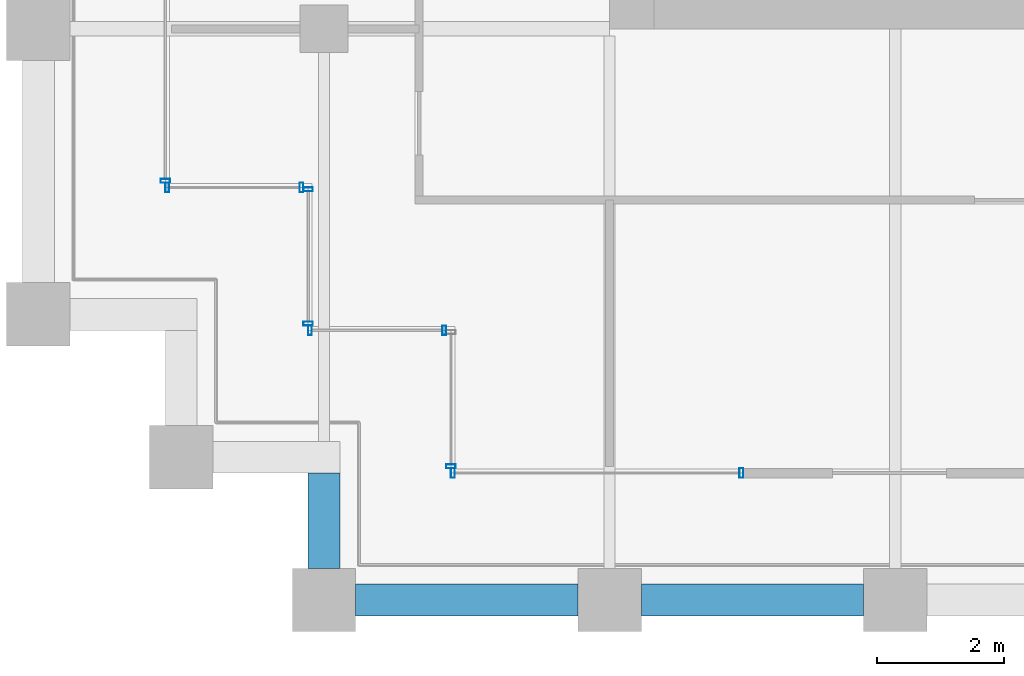
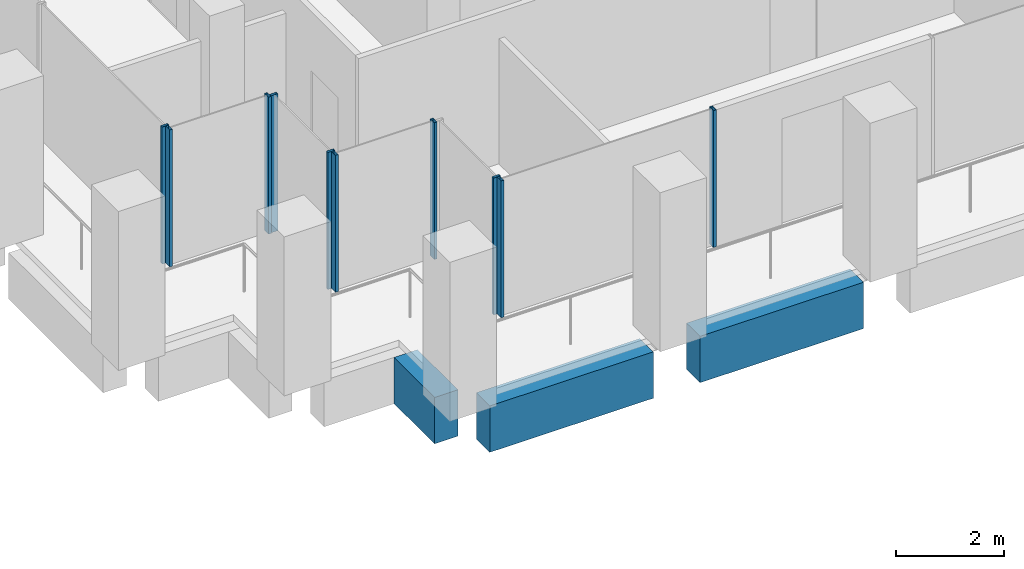
# One storey, part 28 of 46: 10 members, 3 beams, 6 elements without a shape of their own.
"""IFC4 building model written with IfcOpenShell, lengths in metres."""

import ifcopenshell
import ifcopenshell.guid

model = None  # the IFC model being written
_history = None  # IfcOwnerHistory: only IFC2X3 demands one
_inside = {}  # id of a spatial element -> (the spatial element, [elements in it])
_under = {}  # id of a project, library or spatial element -> (it, [spatial elements below it])
_declared = {}  # id of a project -> (the project, [libraries it declares])
_typed = {}  # id of a type object -> (the type object, [elements of that type])
_made_of = {}  # id of a material, layer set ... -> (it, [elements and type objects made of it])


def new_model(schema):
    """Start an empty IFC model of exactly this schema.

    Asked for "IFC4X3", IfcOpenShell would pick the latest addendum, in which some entities
    have other attributes; the version numbers below select the first issue.
    IFC2X3 requires an IfcOwnerHistory on every rooted entity: one is made here for all.
    """
    global model, _history
    if schema == "IFC4X3":
        model = ifcopenshell.file(schema_version=(4, 3, 0, 0))
    else:
        model = ifcopenshell.file(schema=schema)
    _inside.clear()
    _under.clear()
    _declared.clear()
    _typed.clear()
    _made_of.clear()
    _history = None
    if model.schema == "IFC2X3":
        org = make("IfcOrganization", Name="unknown")
        user = make(
            "IfcPersonAndOrganization",
            ThePerson=make("IfcPerson", FamilyName="unknown"),
            TheOrganization=org,
        )
        app = make(
            "IfcApplication",
            ApplicationDeveloper=org,
            Version="unknown",
            ApplicationFullName="unknown",
            ApplicationIdentifier="unknown",
        )
        _history = make(
            "IfcOwnerHistory",
            OwningUser=user,
            OwningApplication=app,
            ChangeAction="ADDED",
            CreationDate=0,
        )
    return model


def make(cls, **values):
    """One entity of the class cls with the attributes given. An attribute that is None is left unset."""
    return model.create_entity(
        cls, **{name: value for name, value in values.items() if value is not None}
    )


def rooted(cls, **values):
    """An entity with a GlobalId (a new one), such as an element, a storey or a relation."""
    return make(cls, GlobalId=ifcopenshell.guid.new(), OwnerHistory=_history, **values)


def si_unit(unit_type, name, prefix=None):
    """IfcSIUnit, for example si_unit("LENGTHUNIT", "METRE", prefix="MILLI")."""
    return make("IfcSIUnit", UnitType=unit_type, Prefix=prefix, Name=name)


def assignment(units):
    """IfcUnitAssignment: the units of a project."""
    return None if units is None else make("IfcUnitAssignment", Units=units)


def point(xyz):
    """IfcCartesianPoint."""
    return None if xyz is None else make("IfcCartesianPoint", Coordinates=xyz)


def direction(xyz):
    """IfcDirection."""
    return None if xyz is None else make("IfcDirection", DirectionRatios=xyz)


def frame(location, z_axis=None, x_axis=None):
    """IfcAxis2Placement3D, a coordinate frame: its origin and axes. An axis left out is left unset."""
    return make(
        "IfcAxis2Placement3D",
        Location=point(location),
        Axis=direction(z_axis),
        RefDirection=direction(x_axis),
    )


def frame_2d(location, x_axis=None):
    """IfcAxis2Placement2D, a coordinate frame in the plane: its origin and x axis."""
    return make(
        "IfcAxis2Placement2D", Location=point(location), RefDirection=direction(x_axis)
    )


def origin():
    """The frame at (0, 0, 0) with its axes left unset."""
    return frame((0.0, 0.0, 0.0))


def origin_2d():
    """The frame at (0, 0) in the plane with its x axis left unset."""
    return frame_2d((0.0, 0.0))


def place(relative_to, where):
    """IfcLocalPlacement: puts the frame where relative to a parent placement (None: the world)."""
    return make(
        "IfcLocalPlacement", PlacementRelTo=relative_to, RelativePlacement=where
    )


def context(
    kind, dimensions, precision=None, world=None, true_north=None, identifier=None
):
    """IfcGeometricRepresentationContext, for example the 3D "Model" context."""
    return make(
        "IfcGeometricRepresentationContext",
        ContextIdentifier=identifier,
        ContextType=kind,
        CoordinateSpaceDimension=dimensions,
        Precision=precision,
        WorldCoordinateSystem=world,
        TrueNorth=true_north,
    )


def subcontext(parent, identifier, kind, view, scale=None):
    """IfcGeometricRepresentationSubContext, for example "Body" below "Model"."""
    return make(
        "IfcGeometricRepresentationSubContext",
        ContextIdentifier=identifier,
        ContextType=kind,
        ParentContext=parent,
        TargetScale=scale,
        TargetView=view,
    )


def project(units=None, contexts=None):
    """IfcProject with its units and contexts."""
    return rooted(
        "IfcProject",
        Name="project",
        RepresentationContexts=contexts,
        UnitsInContext=assignment(units),
    )


def spatial(cls, under=None, at=None, **own):
    """A site, building, storey or space (cls), placed at a placement, below another one or the project."""
    s = rooted(cls, ObjectPlacement=at, **own)
    if under is not None:
        _under.setdefault(under.id(), (under, []))[1].append(s)
    return s


def profile(cls, at=None, kind="AREA", **sizes):
    """A parametric profile (cls). Its sizes go by their IFC names, for example OverallWidth=200.0."""
    return make(cls, ProfileType=kind, Position=at, **sizes)


def rectangle(**sizes):
    """IfcRectangleProfileDef."""
    return profile("IfcRectangleProfileDef", **sizes)


def hollow_rectangle(**sizes):
    """IfcRectangleHollowProfileDef."""
    return profile("IfcRectangleHollowProfileDef", **sizes)


def extrude(swept, where, along, depth):
    """IfcExtrudedAreaSolid: the profile swept, set in the frame where, extruded along a direction by depth."""
    return make(
        "IfcExtrudedAreaSolid",
        SweptArea=swept,
        Position=where,
        ExtrudedDirection=direction(along),
        Depth=depth,
    )


def shape(context_of_items, identifier, shape_type, items):
    """IfcShapeRepresentation: the items that make up one representation, for example the "Body"."""
    return make(
        "IfcShapeRepresentation",
        ContextOfItems=context_of_items,
        RepresentationIdentifier=identifier,
        RepresentationType=shape_type,
        Items=items,
    )


def material(Name=None, Category=None):
    """IfcMaterial."""
    return make("IfcMaterial", Name=Name, Category=Category)


def material_profile(
    of_material, cross_section, Name=None, Category=None, Priority=None
):
    """IfcMaterialProfile: a cross section and its material."""
    return make(
        "IfcMaterialProfile",
        Name=Name,
        Material=of_material,
        Profile=cross_section,
        Priority=Priority,
        Category=Category,
    )


def profile_set(profiles, Name=None, composite=None):
    """IfcMaterialProfileSet."""
    return make(
        "IfcMaterialProfileSet",
        Name=Name,
        MaterialProfiles=profiles,
        CompositeProfile=composite,
    )


def made_of(thing, what):
    """Note that an element or type object is made of a material, layer set ...; save() writes the relation."""
    if what is not None:
        _made_of.setdefault(what.id(), (what, []))[1].append(thing)
    return thing


def type_object(cls, material=None, **own):
    """A type object (cls), such as IfcWallType, which elements share."""
    return made_of(rooted(cls, **own), material)


def element(
    cls,
    number,
    at=None,
    inside=None,
    cuts=None,
    type_object=None,
    material=None,
    context=None,
    identifier="Body",
    shape_type=None,
    held_by="IfcProductDefinitionShape",
    body=None,
    shapes=None,
    **own,
):
    """One element of the class cls, such as IfcWall. Its Tag is "e" and its number.

    at: its placement. inside: the storey or other place that contains it. cuts: it is an
    opening in that element (IfcRelVoidsElement). A single representation is given by context,
    identifier, shape_type and body (its items); several are given by shapes. held_by: the class
    of the entity that holds the representations. save() writes the other relations.
    """
    e = rooted(cls, Tag="e%d" % number, ObjectPlacement=at, **own)
    if body is not None:
        shapes = [shape(context, identifier, shape_type, body)]
    if shapes is not None:
        e.Representation = make(held_by, Representations=shapes)
    if inside is not None:
        _inside.setdefault(inside.id(), (inside, []))[1].append(e)
    if cuts is not None:
        rooted(
            "IfcRelVoidsElement", RelatingBuildingElement=cuts, RelatedOpeningElement=e
        )
    if type_object is not None:
        _typed.setdefault(type_object.id(), (type_object, []))[1].append(e)
    return made_of(e, material)


def aggregate(whole, parts):
    """IfcRelAggregates: a whole, such as a stair, and the parts it consists of."""
    return rooted("IfcRelAggregates", RelatingObject=whole, RelatedObjects=parts)


def save(model, path):
    """Write the relations noted so far, then the file.

    IfcRelAggregates (storeys below a building ...), IfcRelContainedInSpatialStructure (elements
    in a storey), IfcRelDefinesByType, IfcRelAssociatesMaterial and IfcRelDeclares: one each for
    every whole, place, type object, material and project.
    """
    for whole, parts in _under.values():
        aggregate(whole, parts)
    for where, things in _inside.values():
        rooted(
            "IfcRelContainedInSpatialStructure",
            RelatedElements=things,
            RelatingStructure=where,
        )
    for kind, things in _typed.values():
        rooted("IfcRelDefinesByType", RelatedObjects=things, RelatingType=kind)
    for what, things in _made_of.values():
        rooted("IfcRelAssociatesMaterial", RelatedObjects=things, RelatingMaterial=what)
    for by, libraries in _declared.values():
        rooted("IfcRelDeclares", RelatingContext=by, RelatedDefinitions=libraries)
    model.write(path)


model = new_model("IFC4")

# Units and contexts
model_context = context("Model", 3, precision=1e-05, world=origin(), true_north=direction((0.0, 1.0)))
body_context = subcontext(model_context, "Body", "Model", "MODEL_VIEW")
ifc_project = project(units=[si_unit("LENGTHUNIT", "METRE"), si_unit("AREAUNIT", "SQUARE_METRE"), si_unit("VOLUMEUNIT", "CUBIC_METRE"), si_unit("PLANEANGLEUNIT", "RADIAN"), si_unit("MASSUNIT", "GRAM", prefix="KILO")], contexts=[model_context])

# Site, building, storey
site_placement = place(None, origin())
site = spatial("IfcSite", under=ifc_project, at=site_placement, CompositionType="ELEMENT")
building_placement = place(site_placement, origin())
building = spatial("IfcBuilding", under=site, at=building_placement, Name="Altepetl Exchange Towers", CompositionType="ELEMENT")
storey_placement = place(building_placement, frame((0.0, 0.0, 131.60009765625)))
storey = spatial("IfcBuildingStorey", under=building, at=storey_placement, Name="L32", CompositionType="ELEMENT", Elevation=131.60009765625)

# Curtain wall, member
ifc_material_1 = material(Name="Aluminium 6063-T6 glazing", Category="aluminium")
curtain_wall_type = type_object("IfcCurtainWallType", Name="Loggia glazing system", PredefinedType="NOTDEFINED", material=ifc_material_1)
curtain_wall_1_placement = place(storey_placement, origin())
curtain_wall_1 = element("IfcCurtainWall", 1, at=curtain_wall_1_placement, inside=storey, type_object=curtain_wall_type, Name="CW1 run", PredefinedType="NOTDEFINED")
ifc_material_2 = material(Name="Aluminium 6063-T6", Category="aluminium")
ifc_material_profile_1 = material_profile(ifc_material_2, hollow_rectangle(XDim=0.06005859375, YDim=0.14990234375, WallThickness=0.0029296875, at=origin_2d()), Name="Mullion 60x150 aluminium")
ifc_profile_set_1 = profile_set([ifc_material_profile_1], Name="Aluminium 6063-T6")
member_type = type_object("IfcMemberType", Name="Mullion 60x150 aluminium", PredefinedType="MULLION", material=ifc_profile_set_1)
member_1_placement = place(storey_placement, frame((96.5, 33.60498046875, 0.0), z_axis=(0.0, 0.0, 1.0), x_axis=(0.0, -1.0, 0.0)))
member_1 = element("IfcMember", 2, at=member_1_placement, type_object=member_type, Name="MU1 mullion", PredefinedType="MULLION", context=body_context, shape_type="SweptSolid", body=[
    extrude(hollow_rectangle(XDim=0.06005859375, YDim=0.14990234375, WallThickness=0.0029296875, at=origin_2d()), origin(), (0.0, 0.0, 1.0), 3.099853515625),
])
aggregate(curtain_wall_1, [member_1])

# Curtain wall, members
curtain_wall_2_placement = place(storey_placement, origin())
curtain_wall_2 = element("IfcCurtainWall", 3, at=curtain_wall_2_placement, inside=storey, type_object=curtain_wall_type, Name="CW1 run", PredefinedType="NOTDEFINED")
member_2_placement = place(storey_placement, frame((96.530029296875, 33.5, 0.0)))
member_2 = element("IfcMember", 4, at=member_2_placement, type_object=member_type, Name="MU1 mullion", PredefinedType="MULLION", context=body_context, shape_type="SweptSolid", body=[
    extrude(hollow_rectangle(XDim=0.06005859375, YDim=0.14990234375, WallThickness=0.0029296875, at=origin_2d()), origin(), (0.0, 0.0, 1.0), 3.099853515625),
])
member_3_placement = place(storey_placement, frame((98.64501953125, 33.5, 0.0)))
member_3 = element("IfcMember", 5, at=member_3_placement, type_object=member_type, Name="MU1 mullion", PredefinedType="MULLION", context=body_context, shape_type="SweptSolid", body=[
    extrude(hollow_rectangle(XDim=0.06005859375, YDim=0.14990234375, WallThickness=0.0029296875, at=origin_2d()), origin(), (0.0, 0.0, 1.0), 3.099853515625),
])
aggregate(curtain_wall_2, [member_2, member_3])

curtain_wall_3_placement = place(storey_placement, origin())
curtain_wall_3 = element("IfcCurtainWall", 6, at=curtain_wall_3_placement, inside=storey, type_object=curtain_wall_type, Name="CW1 run", PredefinedType="NOTDEFINED")
member_4_placement = place(storey_placement, frame((98.75, 33.469970703125, 0.0), z_axis=(0.0, 0.0, 1.0), x_axis=(0.0, -1.0, 0.0)))
member_4 = element("IfcMember", 7, at=member_4_placement, type_object=member_type, Name="MU1 mullion", PredefinedType="MULLION", context=body_context, shape_type="SweptSolid", body=[
    extrude(hollow_rectangle(XDim=0.06005859375, YDim=0.14990234375, WallThickness=0.0029296875, at=origin_2d()), origin(), (0.0, 0.0, 1.0), 3.099853515625),
])
member_5_placement = place(storey_placement, frame((98.75, 31.35498046875, 0.0), z_axis=(0.0, 0.0, 1.0), x_axis=(0.0, -1.0, 0.0)))
member_5 = element("IfcMember", 8, at=member_5_placement, type_object=member_type, Name="MU1 mullion", PredefinedType="MULLION", context=body_context, shape_type="SweptSolid", body=[
    extrude(hollow_rectangle(XDim=0.06005859375, YDim=0.14990234375, WallThickness=0.0029296875, at=origin_2d()), origin(), (0.0, 0.0, 1.0), 3.099853515625),
])
aggregate(curtain_wall_3, [member_4, member_5])

curtain_wall_4_placement = place(storey_placement, origin())
curtain_wall_4 = element("IfcCurtainWall", 9, at=curtain_wall_4_placement, inside=storey, type_object=curtain_wall_type, Name="CW1 run", PredefinedType="NOTDEFINED")
member_6_placement = place(storey_placement, frame((98.780029296875, 31.25, 0.0)))
member_6 = element("IfcMember", 10, at=member_6_placement, type_object=member_type, Name="MU1 mullion", PredefinedType="MULLION", context=body_context, shape_type="SweptSolid", body=[
    extrude(hollow_rectangle(XDim=0.06005859375, YDim=0.14990234375, WallThickness=0.0029296875, at=origin_2d()), origin(), (0.0, 0.0, 1.0), 3.099853515625),
])
member_7_placement = place(storey_placement, frame((100.89501953125, 31.25, 0.0)))
member_7 = element("IfcMember", 11, at=member_7_placement, type_object=member_type, Name="MU1 mullion", PredefinedType="MULLION", context=body_context, shape_type="SweptSolid", body=[
    extrude(hollow_rectangle(XDim=0.06005859375, YDim=0.14990234375, WallThickness=0.0029296875, at=origin_2d()), origin(), (0.0, 0.0, 1.0), 3.099853515625),
])
aggregate(curtain_wall_4, [member_6, member_7])

# Curtain wall, member
curtain_wall_5_placement = place(storey_placement, origin())
curtain_wall_5 = element("IfcCurtainWall", 12, at=curtain_wall_5_placement, inside=storey, type_object=curtain_wall_type, Name="CW1 run", PredefinedType="NOTDEFINED")
member_8_placement = place(storey_placement, frame((101.0, 29.10498046875, 0.0), z_axis=(0.0, 0.0, 1.0), x_axis=(0.0, -1.0, 0.0)))
member_8 = element("IfcMember", 13, at=member_8_placement, type_object=member_type, Name="MU1 mullion", PredefinedType="MULLION", context=body_context, shape_type="SweptSolid", body=[
    extrude(hollow_rectangle(XDim=0.06005859375, YDim=0.14990234375, WallThickness=0.0029296875, at=origin_2d()), origin(), (0.0, 0.0, 1.0), 3.099853515625),
])
aggregate(curtain_wall_5, [member_8])

# Curtain wall, members
curtain_wall_6_placement = place(storey_placement, origin())
curtain_wall_6 = element("IfcCurtainWall", 14, at=curtain_wall_6_placement, inside=storey, type_object=curtain_wall_type, Name="CW1 run", PredefinedType="NOTDEFINED")
member_9_placement = place(storey_placement, frame((101.030029296875, 29.0, 0.0)))
member_9 = element("IfcMember", 15, at=member_9_placement, type_object=member_type, Name="MU1 mullion", PredefinedType="MULLION", context=body_context, shape_type="SweptSolid", body=[
    extrude(hollow_rectangle(XDim=0.06005859375, YDim=0.14990234375, WallThickness=0.0029296875, at=origin_2d()), origin(), (0.0, 0.0, 1.0), 3.099853515625),
])
member_10_placement = place(storey_placement, frame((105.576171875, 29.0, 0.0)))
member_10 = element("IfcMember", 16, at=member_10_placement, type_object=member_type, Name="MU1 mullion", PredefinedType="MULLION", context=body_context, shape_type="SweptSolid", body=[
    extrude(hollow_rectangle(XDim=0.06005859375, YDim=0.14990234375, WallThickness=0.0029296875, at=origin_2d()), origin(), (0.0, 0.0, 1.0), 3.099853515625),
])
aggregate(curtain_wall_6, [member_9, member_10])

# Beams
ifc_material_3 = material(Name="Concrete C50/60 precast with tezontle facing", Category="concrete")
ifc_material_profile_2 = material_profile(ifc_material_3, rectangle(XDim=0.5, YDim=1.050048828125, at=origin_2d()), Name="500 x 1050")
ifc_profile_set_2 = profile_set([ifc_material_profile_2], Name="Concrete C50/60 precast with tezontle facing")
beam_type = type_object("IfcBeamType", Name="Spandrel beam 500x1050 tezontle", PredefinedType="SPANDREL", material=ifc_profile_set_2)
for number, where, z_axis, x_axis, name in (
    (17, (99.5, 27.0, -0.675048828125), (1.0, 0.0, 0.0), (0.0, 1.0, 0.0), "sp:B:L32:000"),
    (18, (104.0, 27.0, -0.675048828125), (1.0, 0.0, 0.0), (0.0, 1.0, 0.0), "sp:B:L32:001"),
):
    element("IfcBeam", number, at=place(storey_placement, frame(where, z_axis=z_axis, x_axis=x_axis)), inside=storey, type_object=beam_type, Name=name, PredefinedType="SPANDREL", context=body_context, shape_type="SweptSolid", body=[
        extrude(rectangle(XDim=0.5, YDim=1.050048828125, at=origin_2d()), origin(), (0.0, 0.0, 1.0), 3.5),
    ])
beam_placement = place(storey_placement, frame((99.0, 29.0, -0.675048828125), z_axis=(0.0, -1.0, 0.0), x_axis=(1.0, 0.0, 0.0)))
element("IfcBeam", 19, at=beam_placement, inside=storey, type_object=beam_type, Name="sp:B:L32:030", PredefinedType="SPANDREL", context=body_context, shape_type="SweptSolid", body=[
    extrude(rectangle(XDim=0.5, YDim=1.050048828125, at=origin_2d()), origin(), (0.0, 0.0, 1.0), 1.5),
])

save(model, "model.ifc")
